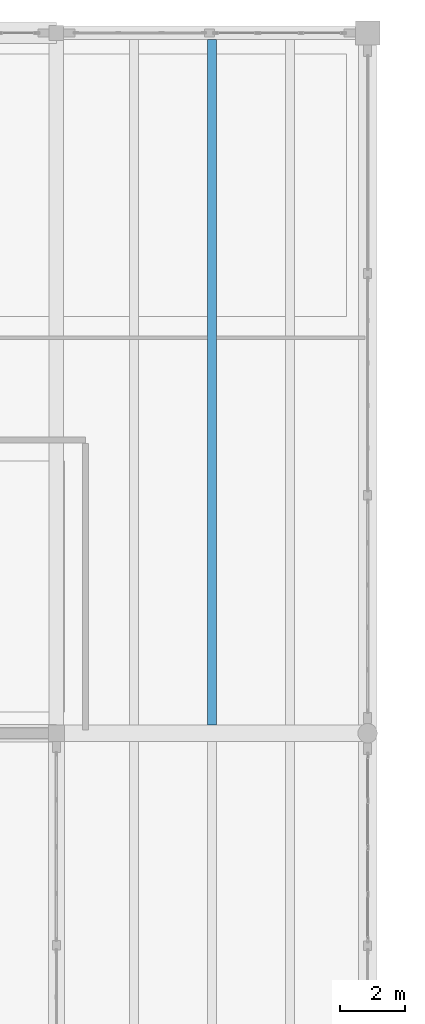
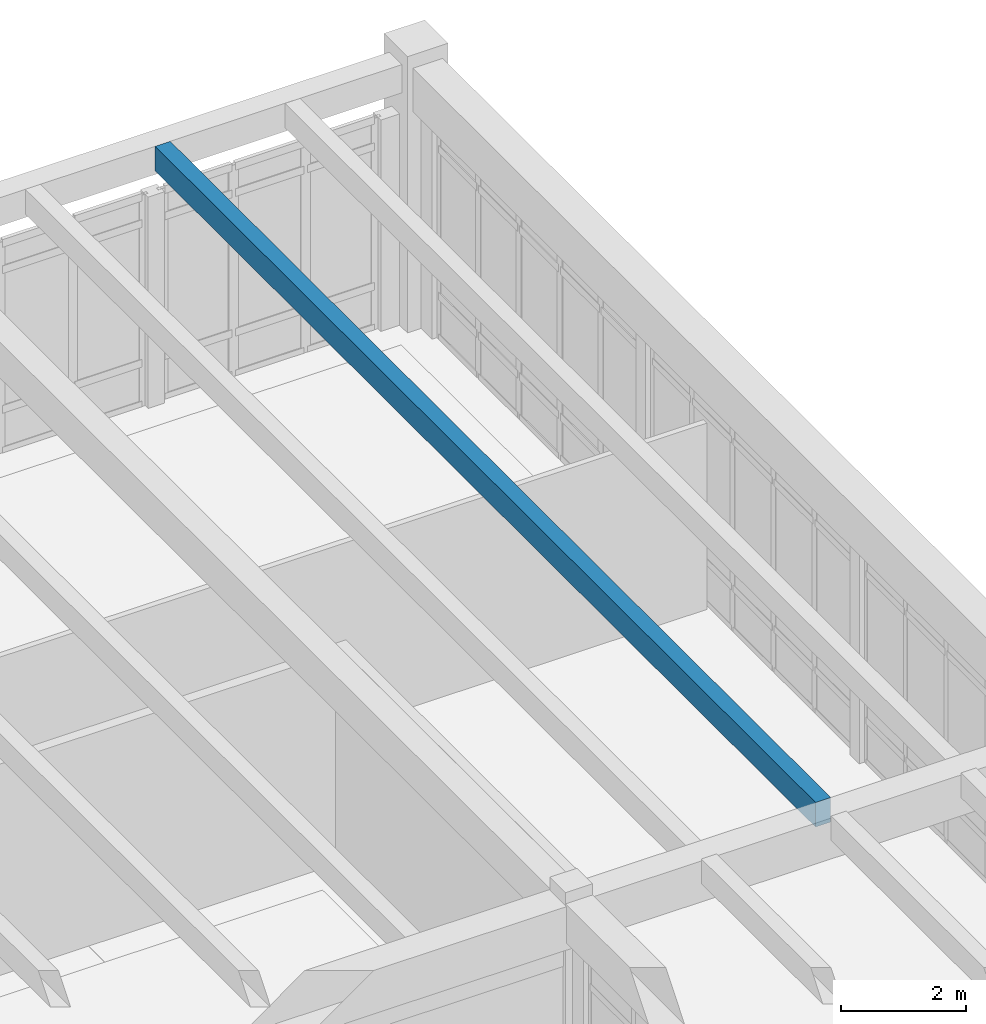
# One storey, part 83 of 138: 1 beam.
"""IFC4 building model written with IfcOpenShell, lengths in metres."""

from ifc_helpers import new_model, si_unit, direction, frame, origin, origin_2d, place, context, subcontext, project, spatial, rectangle, extrude, material, material_profile, profile_set, type_object, element, save


model = new_model("IFC4")

# Units and contexts
model_context = context("Model", 3, precision=1e-05, world=origin(), true_north=direction((0.0, 1.0)))
body_context = subcontext(model_context, "Body", "Model", "MODEL_VIEW")
ifc_project = project(units=[si_unit("LENGTHUNIT", "METRE"), si_unit("AREAUNIT", "SQUARE_METRE"), si_unit("VOLUMEUNIT", "CUBIC_METRE"), si_unit("PLANEANGLEUNIT", "RADIAN"), si_unit("MASSUNIT", "GRAM", prefix="KILO")], contexts=[model_context])

# Site, building, storey
site_placement = place(None, origin())
site = spatial("IfcSite", under=ifc_project, at=site_placement, CompositionType="ELEMENT")
building_placement = place(site_placement, origin())
building = spatial("IfcBuilding", under=site, at=building_placement, Name="Fikremerkos Civic Library", CompositionType="ELEMENT")
storey_placement = place(building_placement, origin())
storey = spatial("IfcBuildingStorey", under=building, at=storey_placement, Name="L00", CompositionType="ELEMENT", Elevation=0.0)

# Beam
ifc_material = material(Name="Concrete C40/50", Category="concrete")
ifc_material_profile = material_profile(ifc_material, rectangle(XDim=0.280029296875, YDim=0.47998046875, at=origin_2d()), Name="RC 280x480")
ifc_profile_set = profile_set([ifc_material_profile], Name="Concrete C40/50")
beam_type = type_object("IfcBeamType", Name="Floor joist JS-04 RC 280x480", PredefinedType="JOIST", material=ifc_profile_set)
beam_placement = place(storey_placement, frame((129.60009765625, 96.25, 4.89990234375), z_axis=(0.0, 1.0, 0.0), x_axis=(-1.0, 0.0, 0.0)))
element("IfcBeam", 1, at=beam_placement, inside=storey, type_object=beam_type, Name="Floor joist JS-04 L00 #371", PredefinedType="JOIST", context=body_context, shape_type="SweptSolid", body=[
    extrude(rectangle(XDim=0.280029296875, YDim=0.47998046875, at=origin_2d()), origin(), (0.0, 0.0, 1.0), 21.14990234375),
])

save(model, "model.ifc")
